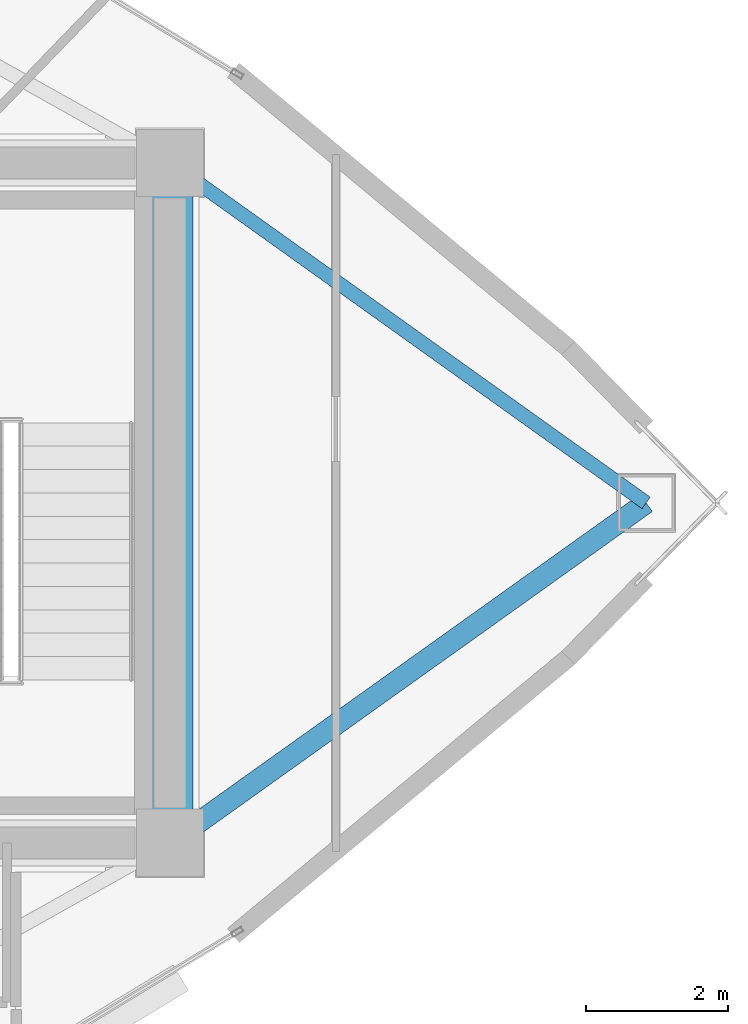
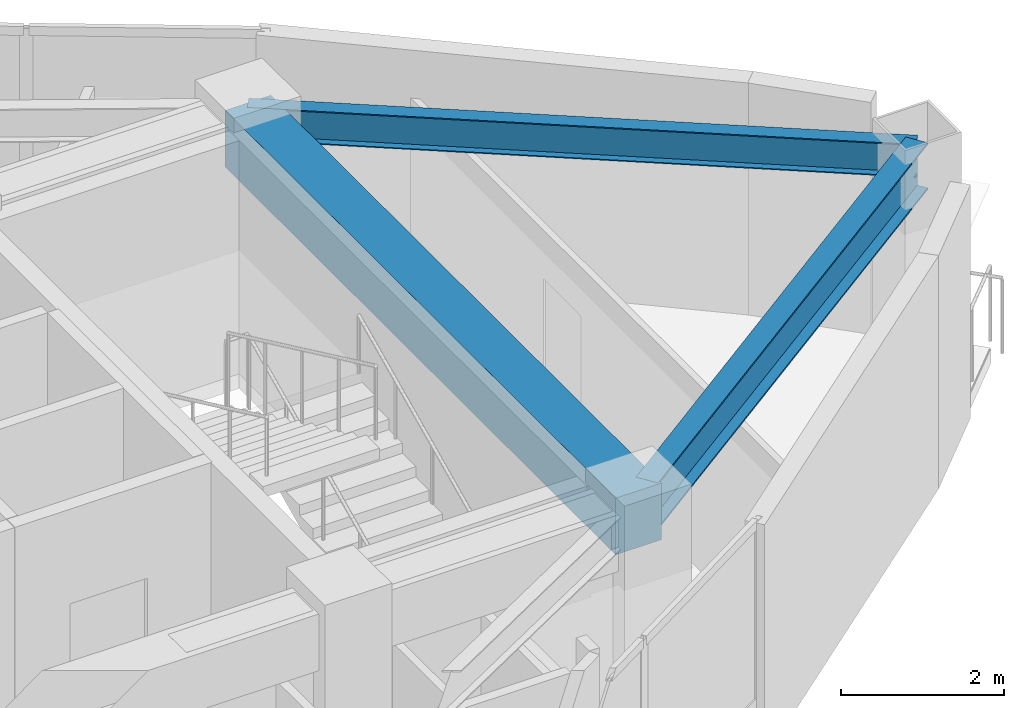
# One storey, part 6 of 15: 3 beams.
"""IFC4 building model written with IfcOpenShell, lengths in metres."""

import ifcopenshell
import ifcopenshell.guid

model = None  # the IFC model being written
_history = None  # IfcOwnerHistory: only IFC2X3 demands one
_inside = {}  # id of a spatial element -> (the spatial element, [elements in it])
_under = {}  # id of a project, library or spatial element -> (it, [spatial elements below it])
_declared = {}  # id of a project -> (the project, [libraries it declares])
_typed = {}  # id of a type object -> (the type object, [elements of that type])
_made_of = {}  # id of a material, layer set ... -> (it, [elements and type objects made of it])


def new_model(schema):
    """Start an empty IFC model of exactly this schema.

    Asked for "IFC4X3", IfcOpenShell would pick the latest addendum, in which some entities
    have other attributes; the version numbers below select the first issue.
    IFC2X3 requires an IfcOwnerHistory on every rooted entity: one is made here for all.
    """
    global model, _history
    if schema == "IFC4X3":
        model = ifcopenshell.file(schema_version=(4, 3, 0, 0))
    else:
        model = ifcopenshell.file(schema=schema)
    _inside.clear()
    _under.clear()
    _declared.clear()
    _typed.clear()
    _made_of.clear()
    _history = None
    if model.schema == "IFC2X3":
        org = make("IfcOrganization", Name="unknown")
        user = make(
            "IfcPersonAndOrganization",
            ThePerson=make("IfcPerson", FamilyName="unknown"),
            TheOrganization=org,
        )
        app = make(
            "IfcApplication",
            ApplicationDeveloper=org,
            Version="unknown",
            ApplicationFullName="unknown",
            ApplicationIdentifier="unknown",
        )
        _history = make(
            "IfcOwnerHistory",
            OwningUser=user,
            OwningApplication=app,
            ChangeAction="ADDED",
            CreationDate=0,
        )
    return model


def make(cls, **values):
    """One entity of the class cls with the attributes given. An attribute that is None is left unset."""
    return model.create_entity(
        cls, **{name: value for name, value in values.items() if value is not None}
    )


def rooted(cls, **values):
    """An entity with a GlobalId (a new one), such as an element, a storey or a relation."""
    return make(cls, GlobalId=ifcopenshell.guid.new(), OwnerHistory=_history, **values)


def si_unit(unit_type, name, prefix=None):
    """IfcSIUnit, for example si_unit("LENGTHUNIT", "METRE", prefix="MILLI")."""
    return make("IfcSIUnit", UnitType=unit_type, Prefix=prefix, Name=name)


def assignment(units):
    """IfcUnitAssignment: the units of a project."""
    return None if units is None else make("IfcUnitAssignment", Units=units)


def point(xyz):
    """IfcCartesianPoint."""
    return None if xyz is None else make("IfcCartesianPoint", Coordinates=xyz)


def direction(xyz):
    """IfcDirection."""
    return None if xyz is None else make("IfcDirection", DirectionRatios=xyz)


def frame(location, z_axis=None, x_axis=None):
    """IfcAxis2Placement3D, a coordinate frame: its origin and axes. An axis left out is left unset."""
    return make(
        "IfcAxis2Placement3D",
        Location=point(location),
        Axis=direction(z_axis),
        RefDirection=direction(x_axis),
    )


def frame_2d(location, x_axis=None):
    """IfcAxis2Placement2D, a coordinate frame in the plane: its origin and x axis."""
    return make(
        "IfcAxis2Placement2D", Location=point(location), RefDirection=direction(x_axis)
    )


def origin():
    """The frame at (0, 0, 0) with its axes left unset."""
    return frame((0.0, 0.0, 0.0))


def origin_2d():
    """The frame at (0, 0) in the plane with its x axis left unset."""
    return frame_2d((0.0, 0.0))


def place(relative_to, where):
    """IfcLocalPlacement: puts the frame where relative to a parent placement (None: the world)."""
    return make(
        "IfcLocalPlacement", PlacementRelTo=relative_to, RelativePlacement=where
    )


def context(
    kind, dimensions, precision=None, world=None, true_north=None, identifier=None
):
    """IfcGeometricRepresentationContext, for example the 3D "Model" context."""
    return make(
        "IfcGeometricRepresentationContext",
        ContextIdentifier=identifier,
        ContextType=kind,
        CoordinateSpaceDimension=dimensions,
        Precision=precision,
        WorldCoordinateSystem=world,
        TrueNorth=true_north,
    )


def subcontext(parent, identifier, kind, view, scale=None):
    """IfcGeometricRepresentationSubContext, for example "Body" below "Model"."""
    return make(
        "IfcGeometricRepresentationSubContext",
        ContextIdentifier=identifier,
        ContextType=kind,
        ParentContext=parent,
        TargetScale=scale,
        TargetView=view,
    )


def project(units=None, contexts=None):
    """IfcProject with its units and contexts."""
    return rooted(
        "IfcProject",
        Name="project",
        RepresentationContexts=contexts,
        UnitsInContext=assignment(units),
    )


def spatial(cls, under=None, at=None, **own):
    """A site, building, storey or space (cls), placed at a placement, below another one or the project."""
    s = rooted(cls, ObjectPlacement=at, **own)
    if under is not None:
        _under.setdefault(under.id(), (under, []))[1].append(s)
    return s


def profile(cls, at=None, kind="AREA", **sizes):
    """A parametric profile (cls). Its sizes go by their IFC names, for example OverallWidth=200.0."""
    return make(cls, ProfileType=kind, Position=at, **sizes)


def rectangle(**sizes):
    """IfcRectangleProfileDef."""
    return profile("IfcRectangleProfileDef", **sizes)


def i_section(**sizes):
    """IfcIShapeProfileDef."""
    return profile("IfcIShapeProfileDef", **sizes)


def extrude(swept, where, along, depth):
    """IfcExtrudedAreaSolid: the profile swept, set in the frame where, extruded along a direction by depth."""
    return make(
        "IfcExtrudedAreaSolid",
        SweptArea=swept,
        Position=where,
        ExtrudedDirection=direction(along),
        Depth=depth,
    )


def shape(context_of_items, identifier, shape_type, items):
    """IfcShapeRepresentation: the items that make up one representation, for example the "Body"."""
    return make(
        "IfcShapeRepresentation",
        ContextOfItems=context_of_items,
        RepresentationIdentifier=identifier,
        RepresentationType=shape_type,
        Items=items,
    )


def material(Name=None, Category=None):
    """IfcMaterial."""
    return make("IfcMaterial", Name=Name, Category=Category)


def material_profile(
    of_material, cross_section, Name=None, Category=None, Priority=None
):
    """IfcMaterialProfile: a cross section and its material."""
    return make(
        "IfcMaterialProfile",
        Name=Name,
        Material=of_material,
        Profile=cross_section,
        Priority=Priority,
        Category=Category,
    )


def profile_set(profiles, Name=None, composite=None):
    """IfcMaterialProfileSet."""
    return make(
        "IfcMaterialProfileSet",
        Name=Name,
        MaterialProfiles=profiles,
        CompositeProfile=composite,
    )


def made_of(thing, what):
    """Note that an element or type object is made of a material, layer set ...; save() writes the relation."""
    if what is not None:
        _made_of.setdefault(what.id(), (what, []))[1].append(thing)
    return thing


def type_object(cls, material=None, **own):
    """A type object (cls), such as IfcWallType, which elements share."""
    return made_of(rooted(cls, **own), material)


def element(
    cls,
    number,
    at=None,
    inside=None,
    cuts=None,
    type_object=None,
    material=None,
    context=None,
    identifier="Body",
    shape_type=None,
    held_by="IfcProductDefinitionShape",
    body=None,
    shapes=None,
    **own,
):
    """One element of the class cls, such as IfcWall. Its Tag is "e" and its number.

    at: its placement. inside: the storey or other place that contains it. cuts: it is an
    opening in that element (IfcRelVoidsElement). A single representation is given by context,
    identifier, shape_type and body (its items); several are given by shapes. held_by: the class
    of the entity that holds the representations. save() writes the other relations.
    """
    e = rooted(cls, Tag="e%d" % number, ObjectPlacement=at, **own)
    if body is not None:
        shapes = [shape(context, identifier, shape_type, body)]
    if shapes is not None:
        e.Representation = make(held_by, Representations=shapes)
    if inside is not None:
        _inside.setdefault(inside.id(), (inside, []))[1].append(e)
    if cuts is not None:
        rooted(
            "IfcRelVoidsElement", RelatingBuildingElement=cuts, RelatedOpeningElement=e
        )
    if type_object is not None:
        _typed.setdefault(type_object.id(), (type_object, []))[1].append(e)
    return made_of(e, material)


def aggregate(whole, parts):
    """IfcRelAggregates: a whole, such as a stair, and the parts it consists of."""
    return rooted("IfcRelAggregates", RelatingObject=whole, RelatedObjects=parts)


def save(model, path):
    """Write the relations noted so far, then the file.

    IfcRelAggregates (storeys below a building ...), IfcRelContainedInSpatialStructure (elements
    in a storey), IfcRelDefinesByType, IfcRelAssociatesMaterial and IfcRelDeclares: one each for
    every whole, place, type object, material and project.
    """
    for whole, parts in _under.values():
        aggregate(whole, parts)
    for where, things in _inside.values():
        rooted(
            "IfcRelContainedInSpatialStructure",
            RelatedElements=things,
            RelatingStructure=where,
        )
    for kind, things in _typed.values():
        rooted("IfcRelDefinesByType", RelatedObjects=things, RelatingType=kind)
    for what, things in _made_of.values():
        rooted("IfcRelAssociatesMaterial", RelatedObjects=things, RelatingMaterial=what)
    for by, libraries in _declared.values():
        rooted("IfcRelDeclares", RelatingContext=by, RelatedDefinitions=libraries)
    model.write(path)


model = new_model("IFC4")

# Units and contexts
model_context = context("Model", 3, precision=1e-05, world=origin(), true_north=direction((0.0, 1.0)))
body_context = subcontext(model_context, "Body", "Model", "MODEL_VIEW")
ifc_project = project(units=[si_unit("LENGTHUNIT", "METRE"), si_unit("AREAUNIT", "SQUARE_METRE"), si_unit("VOLUMEUNIT", "CUBIC_METRE"), si_unit("PLANEANGLEUNIT", "RADIAN"), si_unit("MASSUNIT", "GRAM", prefix="KILO")], contexts=[model_context])

# Site, building, storey
site_placement = place(None, origin())
site = spatial("IfcSite", under=ifc_project, at=site_placement, CompositionType="ELEMENT")
building_placement = place(site_placement, origin())
building = spatial("IfcBuilding", under=site, at=building_placement, Name="Menara Vayukalpa", CompositionType="ELEMENT")
storey_placement = place(building_placement, frame((0.0, 0.0, 269.4599609375)))
storey = spatial("IfcBuildingStorey", under=building, at=storey_placement, Name="L68", CompositionType="ELEMENT", Elevation=269.4599609375)

# Beams
ifc_material_1 = material(Name="Concrete C60/75", Category="concrete")
ifc_material_profile_1 = material_profile(ifc_material_1, rectangle(XDim=0.64990234375, YDim=0.85009765625, at=origin_2d()), Name="RC 650x850")
ifc_profile_set_1 = profile_set([ifc_material_profile_1], Name="Concrete C60/75")
beam_type_1 = type_object("IfcBeamType", Name="BM-CB1", PredefinedType="BEAM", material=ifc_profile_set_1)
beam_1_placement = place(storey_placement, frame((33.39990234375, 17.199951171875, 3.074951171875), z_axis=(0.0, 1.0, 0.0), x_axis=(-1.0, 0.0, 0.0)))
element("IfcBeam", 1, at=beam_1_placement, inside=storey, type_object=beam_type_1, Name="L68 Core Tie Beam CBR8", PredefinedType="BEAM", context=body_context, shape_type="SweptSolid", body=[
    extrude(rectangle(XDim=0.64990234375, YDim=0.85009765625, at=origin_2d()), origin(), (0.0, 0.0, 1.0), 9.60009765625),
])
ifc_material_2 = material(Name="Steel S355", Category="steel")
ifc_material_profile_2 = material_profile(ifc_material_2, i_section(OverallWidth=0.300048828125, OverallDepth=0.699951171875, WebThickness=0.012939453125, FlangeThickness=0.02392578125, at=origin_2d()), Name="WF 700x300x13x24")
ifc_profile_set_2 = profile_set([ifc_material_profile_2], Name="Steel S355")
beam_type_2 = type_object("IfcBeamType", Name="BM-PG5", PredefinedType="BEAM", material=ifc_profile_set_2)
beam_2_placement = place(storey_placement, frame((33.603515625, 17.34521484375, 3.150146484375), z_axis=(0.813801429135, 0.581143040859, 0.0), x_axis=(-0.581143040859, 0.813801429135, 0.0)))
element("IfcBeam", 2, at=beam_2_placement, inside=storey, type_object=beam_type_2, Name="L68 Primary Radial Girder RG01", PredefinedType="BEAM", context=body_context, shape_type="SweptSolid", body=[
    extrude(i_section(OverallWidth=0.300048828125, OverallDepth=0.699951171875, WebThickness=0.012939453125, FlangeThickness=0.02392578125, at=origin_2d()), origin(), (0.0, 0.0, 1.0), 8.009765625),
])
ifc_material_3 = material(Name="Steel S355", Category="steel")
ifc_material_profile_3 = material_profile(ifc_material_3, i_section(OverallWidth=0.199951171875, OverallDepth=0.5, WebThickness=0.010009765625, FlangeThickness=0.01611328125, at=origin_2d()), Name="WF 500x200x10x16")
ifc_profile_set_3 = profile_set([ifc_material_profile_3], Name="Steel S355")
beam_type_3 = type_object("IfcBeamType", Name="BM-SP3", PredefinedType="SPANDREL", material=ifc_profile_set_3)
beam_3_placement = place(storey_placement, frame((40.121826171875, 22.0, 3.25), z_axis=(-0.813809355401, 0.581131941181, 0.0), x_axis=(-0.581131941181, -0.813809355401, 0.0)))
element("IfcBeam", 3, at=beam_3_placement, inside=storey, type_object=beam_type_3, Name="L68 Perimeter Spandrel Beam SP01", PredefinedType="SPANDREL", context=body_context, shape_type="SweptSolid", body=[
    extrude(i_section(OverallWidth=0.199951171875, OverallDepth=0.5, WebThickness=0.010009765625, FlangeThickness=0.01611328125, at=origin_2d()), origin(), (0.0, 0.0, 1.0), 8.259765625),
])

save(model, "model.ifc")
